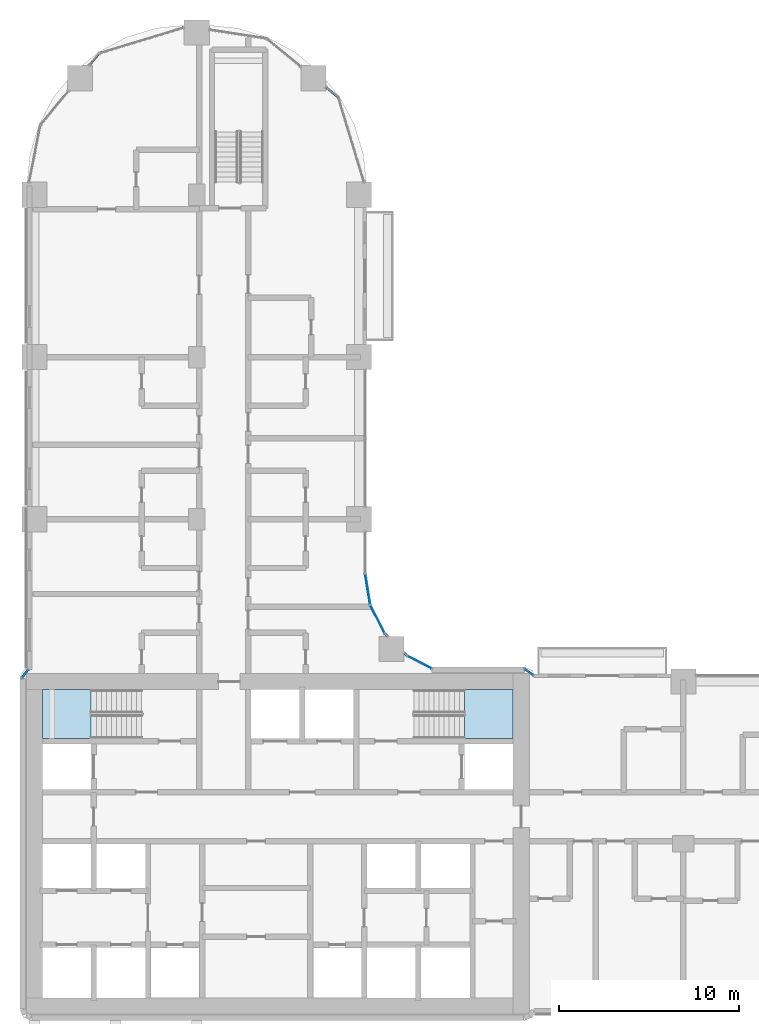
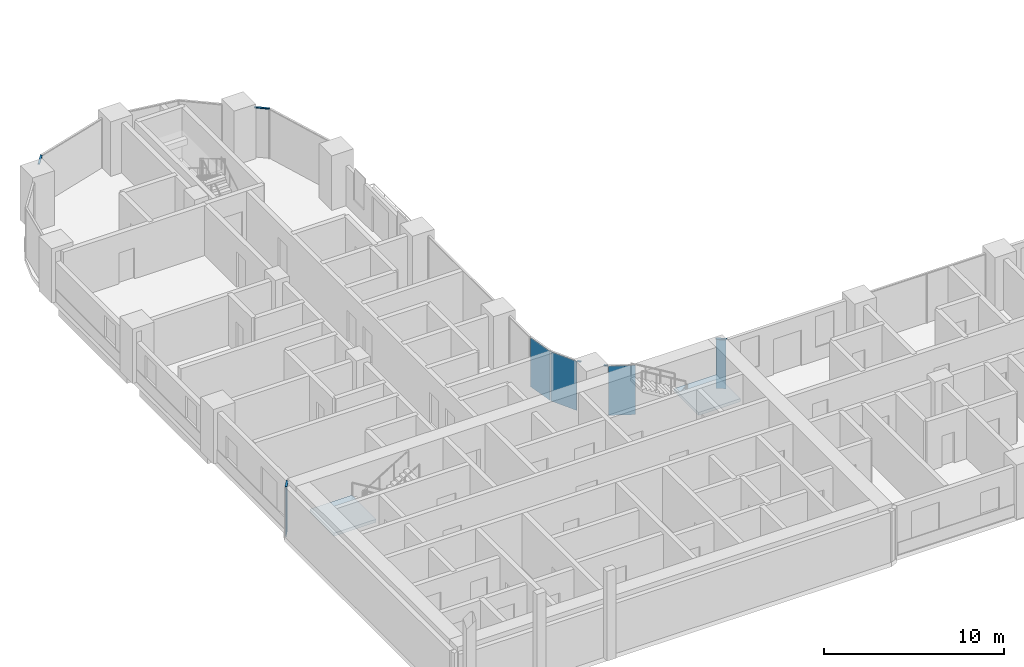
# One storey, part 9 of 30: 6 members, 5 plates, 2 slabs, 8 elements without a shape of their own.
"""IFC4 building model written with IfcOpenShell, lengths in metres."""

from ifc_helpers import new_model, si_unit, direction, frame, origin, origin_2d, place, context, subcontext, project, spatial, polyline, rectangle, outline, extrude, material, layer, layer_set, material_profile, profile_set, type_object, element, aggregate, save


model = new_model("IFC4")

# Units and contexts
model_context = context("Model", 3, precision=1e-05, world=origin(), true_north=direction((0.0, 1.0)))
body_context = subcontext(model_context, "Body", "Model", "MODEL_VIEW")
ifc_project = project(units=[si_unit("LENGTHUNIT", "METRE"), si_unit("AREAUNIT", "SQUARE_METRE"), si_unit("VOLUMEUNIT", "CUBIC_METRE"), si_unit("PLANEANGLEUNIT", "RADIAN"), si_unit("MASSUNIT", "GRAM", prefix="KILO")], contexts=[model_context])

# Site, building, storey
site_placement = place(None, origin())
site = spatial("IfcSite", under=ifc_project, at=site_placement, CompositionType="ELEMENT")
building_placement = place(site_placement, origin())
building = spatial("IfcBuilding", under=site, at=building_placement, Name="Ogive Portal Towers", CompositionType="ELEMENT")
storey_placement = place(building_placement, frame((0.0, 0.0, 37.199951171875)))
storey = spatial("IfcBuildingStorey", under=building, at=storey_placement, Name="L07", CompositionType="ELEMENT", Elevation=37.199951171875)

# Curtain wall, member
ifc_material_1 = material(Name="Glass, clear low-iron insulated glazing", Category="glass")
curtain_wall_type = type_object("IfcCurtainWallType", Name="CW FRONT RIBBON 4500", PredefinedType="NOTDEFINED", material=ifc_material_1)
curtain_wall_1_placement = place(storey_placement, origin())
curtain_wall_1 = element("IfcCurtainWall", 1, at=curtain_wall_1_placement, inside=storey, type_object=curtain_wall_type, Name="A:L07:f00:cwa", PredefinedType="NOTDEFINED")
ifc_material_2 = material(Name="Aluminium 6063 anodised", Category="aluminium")
ifc_material_profile = material_profile(ifc_material_2, rectangle(XDim=0.1201171875, YDim=0.06005859375, at=origin_2d()), Name="AL 120x60")
ifc_profile_set = profile_set([ifc_material_profile], Name="Aluminium 6063 anodised")
member_type = type_object("IfcMemberType", Name="CW TRANSOM 60x120", PredefinedType="USERDEFINED", material=ifc_profile_set)
member_1_placement = place(storey_placement, frame((59.180419921875, 39.844970703125, 3.3701171875), z_axis=(-0.803886334656, 0.594782952809, 0.0), x_axis=(-0.594782952809, -0.803886334656, 0.0)))
member_1 = element("IfcMember", 2, at=member_1_placement, type_object=member_type, Name="transom", ObjectType="TRANSOM", PredefinedType="USERDEFINED", context=body_context, shape_type="SweptSolid", body=[
    extrude(rectangle(XDim=0.1201171875, YDim=0.06005859375, at=origin_2d()), origin(), (0.0, 0.0, 1.0), 0.63037109375),
])

curtain_wall_2_placement = place(storey_placement, origin())
curtain_wall_2 = element("IfcCurtainWall", 3, at=curtain_wall_2_placement, inside=storey, type_object=curtain_wall_type, Name="A:L07:f02:cwa~0", PredefinedType="NOTDEFINED")
member_2_placement = place(storey_placement, frame((52.175537109375, 40.92431640625, 3.3701171875), z_axis=(-0.707628438503, 0.706584738741, 0.0), x_axis=(-0.706584738741, -0.707628438503, 0.0)))
member_2 = element("IfcMember", 4, at=member_2_placement, type_object=member_type, Name="transom", ObjectType="TRANSOM", PredefinedType="USERDEFINED", context=body_context, shape_type="SweptSolid", body=[
    extrude(rectangle(XDim=0.1201171875, YDim=0.06005859375, at=origin_2d()), origin(), (0.0, 0.0, 1.0), 0.23388671875),
])

curtain_wall_3_placement = place(storey_placement, origin())
curtain_wall_3 = element("IfcCurtainWall", 5, at=curtain_wall_3_placement, inside=storey, type_object=curtain_wall_type, Name="A:L07:f02:cwa~1", PredefinedType="NOTDEFINED")
member_3_placement = place(storey_placement, frame((51.089599609375, 42.010009765625, 3.3701171875), z_axis=(-0.706584738741, 0.707628438503, 0.0), x_axis=(-0.707628438503, -0.706584738741, 0.0)))
member_3 = element("IfcMember", 6, at=member_3_placement, type_object=member_type, Name="transom", ObjectType="TRANSOM", PredefinedType="USERDEFINED", context=body_context, shape_type="SweptSolid", body=[
    extrude(rectangle(XDim=0.1201171875, YDim=0.06005859375, at=origin_2d()), origin(), (0.0, 0.0, 1.0), 0.23388671875),
])

curtain_wall_4_placement = place(storey_placement, origin())
curtain_wall_4 = element("IfcCurtainWall", 7, at=curtain_wall_4_placement, inside=storey, type_object=curtain_wall_type, Name="A:L07:f07:cwa~0", PredefinedType="NOTDEFINED")
member_4_placement = place(storey_placement, frame((48.351318359375, 71.912109375, 3.3701171875), z_axis=(-0.772989395532, 0.634418942337, 0.0), x_axis=(-0.634418942337, -0.772989395532, 0.0)))
member_4 = element("IfcMember", 8, at=member_4_placement, type_object=member_type, Name="transom", ObjectType="TRANSOM", PredefinedType="USERDEFINED", context=body_context, shape_type="SweptSolid", body=[
    extrude(rectangle(XDim=0.1201171875, YDim=0.06005859375, at=origin_2d()), origin(), (0.0, 0.0, 1.0), 0.87744140625),
])
aggregate(curtain_wall_4, [member_4])

curtain_wall_5_placement = place(storey_placement, origin())
curtain_wall_5 = element("IfcCurtainWall", 9, at=curtain_wall_5_placement, inside=storey, type_object=curtain_wall_type, Name="A:L07:f07:cwa~2", PredefinedType="NOTDEFINED")
member_5_placement = place(storey_placement, frame((35.087890625, 74.351318359375, 3.3701171875), z_axis=(-0.634418942337, -0.772989395532, 0.0), x_axis=(0.772989395532, -0.634418942337, 0.0)))
member_5 = element("IfcMember", 10, at=member_5_placement, type_object=member_type, Name="transom", ObjectType="TRANSOM", PredefinedType="USERDEFINED", context=body_context, shape_type="SweptSolid", body=[
    extrude(rectangle(XDim=0.1201171875, YDim=0.06005859375, at=origin_2d()), origin(), (0.0, 0.0, 1.0), 0.87744140625),
])
aggregate(curtain_wall_5, [member_5])

curtain_wall_6_placement = place(storey_placement, origin())
curtain_wall_6 = element("IfcCurtainWall", 11, at=curtain_wall_6_placement, inside=storey, type_object=curtain_wall_type, Name="A:L07:f14:cwa", PredefinedType="NOTDEFINED")
member_6_placement = place(storey_placement, frame((31.155029296875, 40.180419921875, 3.3701171875), z_axis=(-0.594782952809, -0.803886334656, 0.0), x_axis=(0.803886334656, -0.594782952809, 0.0)))
member_6 = element("IfcMember", 12, at=member_6_placement, type_object=member_type, Name="transom", ObjectType="TRANSOM", PredefinedType="USERDEFINED", context=body_context, shape_type="SweptSolid", body=[
    extrude(rectangle(XDim=0.1201171875, YDim=0.06005859375, at=origin_2d()), origin(), (0.0, 0.0, 1.0), 0.63037109375),
])

# Plate
ifc_layer_1 = layer(ifc_material_1, 0.028076171875)
ifc_layer_set_1 = layer_set([ifc_layer_1], Name="CW PANEL IGU 28")
plate_type = type_object("IfcPlateType", Name="CW PANEL IGU 28", PredefinedType="CURTAIN_PANEL", material=ifc_layer_set_1)
plate_1_placement = place(storey_placement, frame((58.927001953125, 40.032470703125, 0.0), z_axis=(0.0, 0.0, 1.0), x_axis=(-0.803867261991, 0.594808729844, 0.0)))
plate_1 = element("IfcPlate", 13, at=plate_1_placement, type_object=plate_type, Name="panel", PredefinedType="CURTAIN_PANEL", context=body_context, shape_type="SweptSolid", body=[
    extrude(rectangle(XDim=0.570556640625, YDim=0.028076171875, at=origin_2d()), origin(), (0.0, 0.0, 1.0), 3.340087890625),
])

aggregate(curtain_wall_1, [member_1, plate_1])

plate_2_placement = place(storey_placement, frame((52.866455078125, 40.572021484375, 0.0), z_axis=(0.0, 0.0, 1.0), x_axis=(-0.891006524188, 0.45399049974, 0.0)))
plate_2 = element("IfcPlate", 14, at=plate_2_placement, type_object=plate_type, Name="panel", PredefinedType="CURTAIN_PANEL", context=body_context, shape_type="SweptSolid", body=[
    extrude(rectangle(XDim=1.4912109375, YDim=0.028076171875, at=origin_2d()), origin(), (0.0, 0.0, 1.0), 3.340087890625),
])

aggregate(curtain_wall_2, [member_2, plate_2])

plate_3_placement = place(storey_placement, frame((50.5224609375, 42.9638671875, 0.0), z_axis=(0.0, 0.0, 1.0), x_axis=(-0.45399049974, 0.891006524188, 0.0)))
plate_3 = element("IfcPlate", 15, at=plate_3_placement, type_object=plate_type, Name="panel", PredefinedType="CURTAIN_PANEL", context=body_context, shape_type="SweptSolid", body=[
    extrude(rectangle(XDim=1.70947265625, YDim=0.028076171875, at=origin_2d()), origin(), (0.0, 0.0, 1.0), 3.340087890625),
])

plate_4_placement = place(storey_placement, frame((49.98291015625, 44.623046875, 0.0), z_axis=(0.0, 0.0, 1.0), x_axis=(-0.15643446504, 0.987688340595, 0.0)))
plate_4 = element("IfcPlate", 16, at=plate_4_placement, type_object=plate_type, Name="panel", PredefinedType="CURTAIN_PANEL", context=body_context, shape_type="SweptSolid", body=[
    extrude(rectangle(XDim=1.703125, YDim=0.028076171875, at=origin_2d()), origin(), (0.0, 0.0, 1.0), 3.340087890625),
])

aggregate(curtain_wall_3, [member_3, plate_3, plate_4])

plate_5_placement = place(storey_placement, frame((30.967529296875, 39.927001953125, 0.0), z_axis=(0.0, 0.0, 1.0), x_axis=(-0.594808729844, -0.803867261991, 0.0)))
plate_5 = element("IfcPlate", 17, at=plate_5_placement, type_object=plate_type, Name="panel", PredefinedType="CURTAIN_PANEL", context=body_context, shape_type="SweptSolid", body=[
    extrude(rectangle(XDim=0.570556640625, YDim=0.028076171875, at=origin_2d()), origin(), (0.0, 0.0, 1.0), 3.340087890625),
])

aggregate(curtain_wall_6, [member_6, plate_5])

# Stair, slab
ifc_material_3 = material(Name="Concrete C40/50", Category="concrete")
stair_type = type_object("IfcStairType", Name="INT-STAIR", PredefinedType="HALF_TURN_STAIR", material=ifc_material_3)
stair_1_placement = place(storey_placement, origin())
stair_1 = element("IfcStair", 18, at=stair_1_placement, inside=storey, type_object=stair_type, Name="L07 Exit Stair ST-A1", PredefinedType="HALF_TURN_STAIR")
ifc_layer_2 = layer(ifc_material_3, 0.199951171875)
ifc_layer_set_2 = layer_set([ifc_layer_2], Name="INT-LANDING")
slab_type = type_object("IfcSlabType", Name="INT-LANDING", PredefinedType="LANDING", material=ifc_layer_set_2)
slab_1_placement = place(storey_placement, frame((0.0, 0.0, 1.650146484375)))
slab_1 = element("IfcSlab", 19, at=slab_1_placement, type_object=slab_type, Name="ST-A1 landing 1", PredefinedType="LANDING", context=body_context, shape_type="SweptSolid", body=[
    extrude(outline(polyline([(34.64990234375, 39.050048828125), (31.949951171875, 39.050048828125), (31.949951171875, 36.35009765625), (34.64990234375, 36.35009765625), (34.64990234375, 39.050048828125)])), origin(), (0.0, 0.0, 1.0), 0.199951171875),
])
aggregate(stair_1, [slab_1])

stair_2_placement = place(storey_placement, origin())
stair_2 = element("IfcStair", 20, at=stair_2_placement, inside=storey, type_object=stair_type, Name="L07 Exit Stair ST-A2", PredefinedType="HALF_TURN_STAIR")
slab_2_placement = place(storey_placement, frame((0.0, 0.0, 1.650146484375)))
slab_2 = element("IfcSlab", 21, at=slab_2_placement, type_object=slab_type, Name="ST-A2 landing 1", PredefinedType="LANDING", context=body_context, shape_type="SweptSolid", body=[
    extrude(outline(polyline([(55.35009765625, 36.35009765625), (58.050048828125, 36.35009765625), (58.050048828125, 39.050048828125), (55.35009765625, 39.050048828125), (55.35009765625, 36.35009765625)])), origin(), (0.0, 0.0, 1.0), 0.199951171875),
])
aggregate(stair_2, [slab_2])

save(model, "model.ifc")
